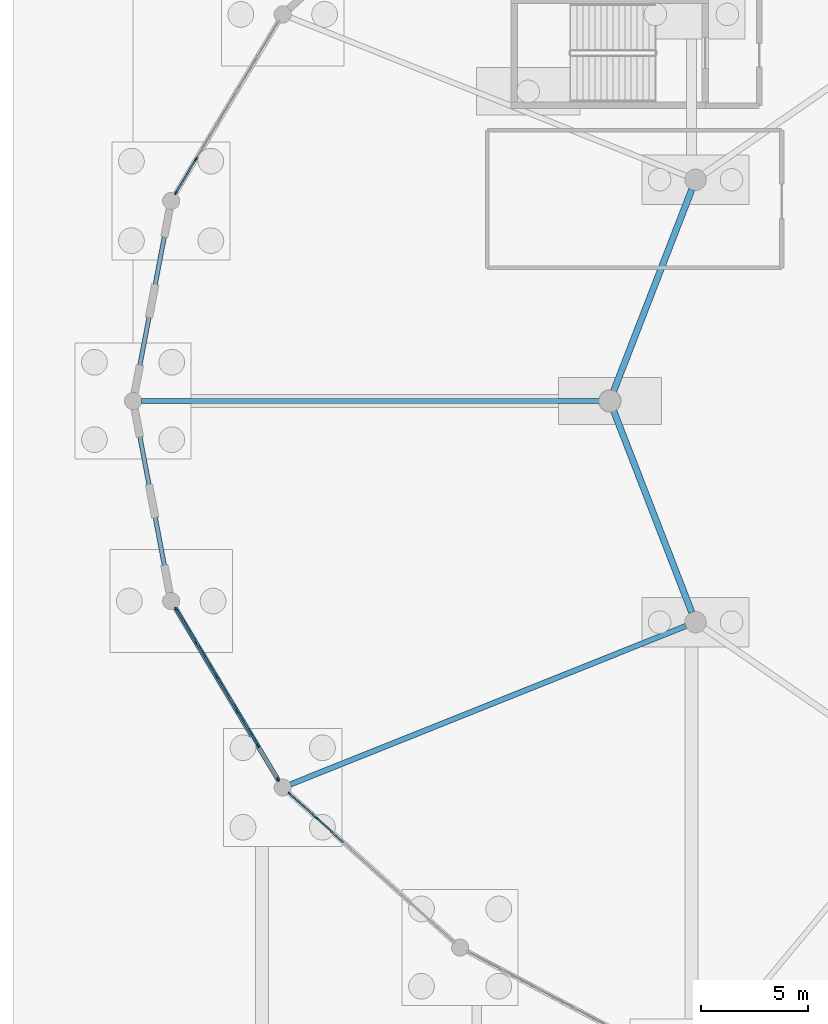
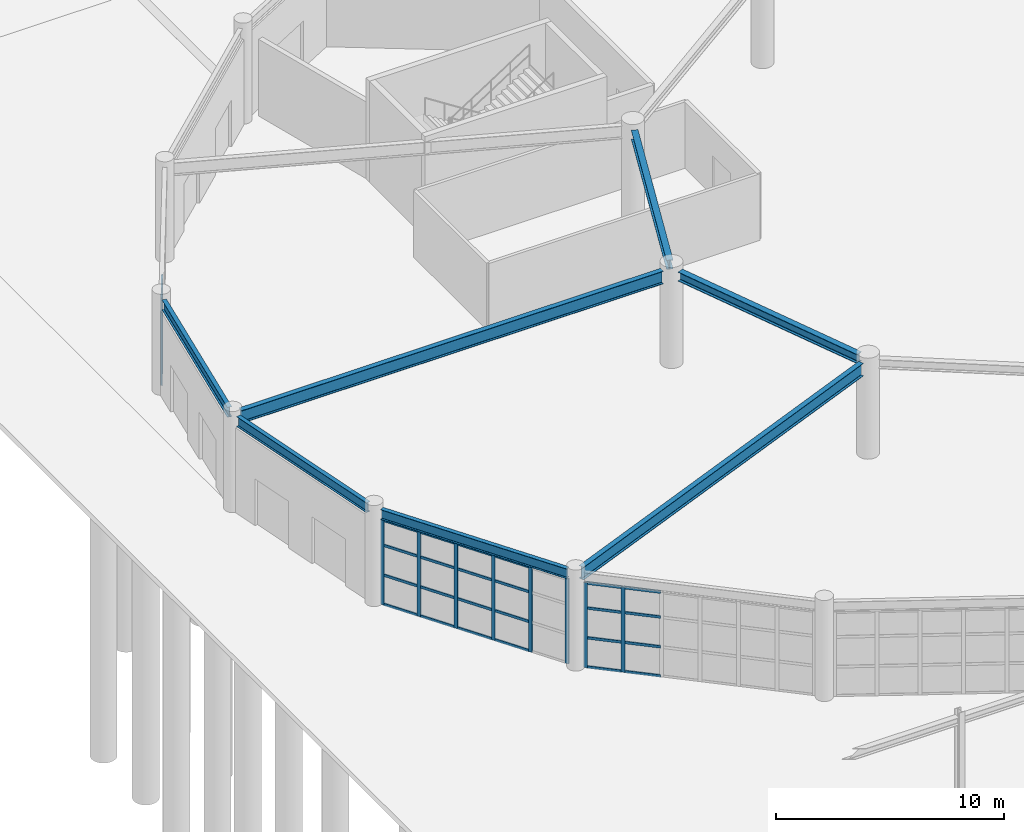
# One storey, part 39 of 99: 38 members, 7 beams, 3 elements without a shape of their own.
"""IFC4 building model written with IfcOpenShell, lengths in metres."""

from ifc_helpers import new_model, si_unit, direction, frame, origin, origin_2d, place, context, subcontext, project, spatial, rectangle, i_section, extrude, material, layer, layer_set, material_profile, profile_set, type_object, element, aggregate, save


model = new_model("IFC4")

# Units and contexts
model_context = context("Model", 3, precision=1e-05, world=origin(), true_north=direction((0.0, 1.0)))
body_context = subcontext(model_context, "Body", "Model", "MODEL_VIEW")
ifc_project = project(units=[si_unit("LENGTHUNIT", "METRE"), si_unit("AREAUNIT", "SQUARE_METRE"), si_unit("VOLUMEUNIT", "CUBIC_METRE"), si_unit("PLANEANGLEUNIT", "RADIAN"), si_unit("MASSUNIT", "GRAM", prefix="KILO")], contexts=[model_context])

# Site, building, storey
site_placement = place(None, origin())
site = spatial("IfcSite", under=ifc_project, at=site_placement, CompositionType="ELEMENT")
building_placement = place(site_placement, origin())
building = spatial("IfcBuilding", under=site, at=building_placement, Name="Kivolera Central Railway Station", CompositionType="ELEMENT")
storey_placement = place(building_placement, origin())
storey = spatial("IfcBuildingStorey", under=building, at=storey_placement, Name="L00", CompositionType="ELEMENT", Elevation=0.0)

# Beams
ifc_material_1 = material(Name="Steel S355", Category="steel")
ifc_material_profile_1 = material_profile(ifc_material_1, i_section(OverallWidth=0.300048828125, OverallDepth=0.489990234375, WebThickness=0.011962890625, FlangeThickness=0.02294921875, FilletRadius=0.027099609375, at=origin_2d()), Name="HEA 500")
ifc_profile_set_1 = profile_set([ifc_material_profile_1], Name="Steel S355")
beam_type_1 = type_object("IfcBeamType", Name="BM-SHD-HEA500", PredefinedType="BEAM", material=ifc_profile_set_1)
for number, where, z_axis, x_axis, name in (
    (1, (38.014892578125, 99.843017578125, 4.863037109375), (-0.36139618842, -0.932412352447, 0.0), (0.932412352447, -0.36139618842, 0.0), "L00 Oval Inner Gallery Ring Beam 06"),
    (2, (34.376953125, 89.54296875, 4.863037109375), (0.36139618842, -0.932412352447, 0.0), (0.932412352447, 0.36139618842, 0.0), "L00 Oval Inner Gallery Ring Beam 07"),
):
    element("IfcBeam", number, at=place(storey_placement, frame(where, z_axis=z_axis, x_axis=x_axis)), inside=storey, type_object=beam_type_1, Name=name, PredefinedType="BEAM", context=body_context, shape_type="SweptSolid", body=[
        extrude(i_section(OverallWidth=0.300048828125, OverallDepth=0.489990234375, WebThickness=0.011962890625, FlangeThickness=0.02294921875, FilletRadius=0.027099609375, at=origin_2d()), origin(), (0.0, 0.0, 1.0), 10.06640625),
    ])
ifc_material_profile_2 = material_profile(ifc_material_1, i_section(OverallWidth=0.209228515625, OverallDepth=0.533203125, WebThickness=0.010009765625, FlangeThickness=0.015625, FilletRadius=0.0126953125, at=origin_2d()), Name="UB 533x210x92")
ifc_profile_set_2 = profile_set([ifc_material_profile_2], Name="Steel S355")
beam_type_2 = type_object("IfcBeamType", Name="BM-SHD-UB533", PredefinedType="BEAM", material=ifc_profile_set_2)
for number, where, z_axis, x_axis, name in (
    (3, (13.698974609375, 98.93408203125, 4.841064453125), (-0.186802767636, -0.982397437906, 0.0), (0.982397437906, -0.186802767636, 0.0), "L00 Oval Perimeter Ring Beam 12"),
    (4, (12.072998046875, 89.616943359375, 4.841064453125), (0.186802767636, -0.982397437906, 0.0), (0.982397437906, 0.186802767636, 0.0), "L00 Oval Perimeter Ring Beam 13"),
):
    element("IfcBeam", number, at=place(storey_placement, frame(where, z_axis=z_axis, x_axis=x_axis)), inside=storey, type_object=beam_type_2, Name=name, PredefinedType="BEAM", context=body_context, shape_type="SweptSolid", body=[
        extrude(i_section(OverallWidth=0.209228515625, OverallDepth=0.533203125, WebThickness=0.010009765625, FlangeThickness=0.015625, FilletRadius=0.0126953125, at=origin_2d()), origin(), (0.0, 0.0, 1.0), 8.704345703125),
    ])
beam_1_placement = place(storey_placement, frame((13.971923828125, 80.347900390625, 4.841064453125), z_axis=(0.513503459376, -0.858087523047, 0.0), x_axis=(0.858087523047, 0.513503459376, 0.0)))
element("IfcBeam", 5, at=beam_1_placement, inside=storey, type_object=beam_type_2, Name="L00 Oval Perimeter Ring Beam 14", PredefinedType="BEAM", context=body_context, shape_type="SweptSolid", body=[
    extrude(i_section(OverallWidth=0.209228515625, OverallDepth=0.533203125, WebThickness=0.010009765625, FlangeThickness=0.015625, FilletRadius=0.0126953125, at=origin_2d()), origin(), (0.0, 0.0, 1.0), 9.338134765625),
])
ifc_material_profile_3 = material_profile(ifc_material_1, i_section(OverallWidth=0.253662109375, OverallDepth=0.68359375, WebThickness=0.012451171875, FlangeThickness=0.01904296875, FilletRadius=0.01513671875, at=origin_2d()), Name="UB 686x254x140")
ifc_profile_set_3 = profile_set([ifc_material_profile_3], Name="Steel S355")
beam_type_3 = type_object("IfcBeamType", Name="BM-SHD-UB686", PredefinedType="BEAM", material=ifc_profile_set_3)
beam_2_placement = place(storey_placement, frame((33.7099609375, 90.0, 4.76611328125), z_axis=(-1.0, 0.0, 0.0), x_axis=(0.0, -1.0, 0.0)))
element("IfcBeam", 6, at=beam_2_placement, inside=storey, type_object=beam_type_3, Name="L00 Oval Gallery Radial Girder 07", PredefinedType="BEAM", context=body_context, shape_type="SweptSolid", body=[
    extrude(i_section(OverallWidth=0.253662109375, OverallDepth=0.68359375, WebThickness=0.012451171875, FlangeThickness=0.01904296875, FilletRadius=0.01513671875, at=origin_2d()), origin(), (0.0, 0.0, 1.0), 21.320068359375),
])
beam_3_placement = place(storey_placement, frame((37.737060546875, 79.51806640625, 4.76611328125), z_axis=(-0.928305074345, -0.371819430565, 0.0), x_axis=(0.371819430565, -0.928305074345, 0.0)))
element("IfcBeam", 7, at=beam_3_placement, inside=storey, type_object=beam_type_3, Name="L00 Oval Gallery Radial Girder 08", PredefinedType="BEAM", context=body_context, shape_type="SweptSolid", body=[
    extrude(i_section(OverallWidth=0.253662109375, OverallDepth=0.68359375, WebThickness=0.012451171875, FlangeThickness=0.01904296875, FilletRadius=0.01513671875, at=origin_2d()), origin(), (0.0, 0.0, 1.0), 19.82958984375),
])

# Curtain wall, members
ifc_material_2 = material(Name="Anodised aluminium", Category="aluminium")
ifc_layer_1 = layer(ifc_material_2, 0.179931640625, Name="Anodised aluminium")
ifc_layer_set_1 = layer_set([ifc_layer_1], Name="Anodised aluminium")
curtain_wall_type_1 = type_object("IfcCurtainWallType", Name="CW-SYS-01", PredefinedType="NOTDEFINED", material=ifc_layer_set_1)
curtain_wall_1_placement = place(storey_placement, origin())
curtain_wall_1 = element("IfcCurtainWall", 8, at=curtain_wall_1_placement, inside=storey, type_object=curtain_wall_type_1, Name="L00 Curtain Wall CW-L00-OVL-10", PredefinedType="NOTDEFINED")
ifc_material_profile_4 = material_profile(ifc_material_2, rectangle(XDim=0.070068359375, YDim=0.179931640625, at=origin_2d()), Name="ALU MULL 70x180")
ifc_profile_set_4 = profile_set([ifc_material_profile_4], Name="Anodised aluminium")
member_type_1 = type_object("IfcMemberType", Name="CWM-MUL-1", PredefinedType="MULLION", material=ifc_profile_set_4)
member_1_placement = place(storey_placement, frame((13.994873046875, 99.68994140625, -0.0048828125), z_axis=(0.0, 0.0, 1.0), x_axis=(-0.858117186396, 0.513453887327, 0.0)))
member_1 = element("IfcMember", 9, at=member_1_placement, type_object=member_type_1, Name="CW-01 mullion 1", PredefinedType="MULLION", context=body_context, shape_type="SweptSolid", body=[
    extrude(rectangle(XDim=0.070068359375, YDim=0.179931640625, at=origin_2d()), origin(), (0.0, 0.0, 1.0), 4.554931640625),
])
member_2_placement = place(storey_placement, frame((14.93408203125, 101.259521484375, -0.0048828125), z_axis=(0.0, 0.0, 1.0), x_axis=(-0.858117186396, 0.513453887327, 0.0)))
member_2 = element("IfcMember", 10, at=member_2_placement, type_object=member_type_1, Name="CW-01 mullion 2", PredefinedType="MULLION", context=body_context, shape_type="SweptSolid", body=[
    extrude(rectangle(XDim=0.070068359375, YDim=0.179931640625, at=origin_2d()), origin(), (0.0, 0.0, 1.0), 4.554931640625),
])

curtain_wall_2_placement = place(storey_placement, origin())
curtain_wall_2 = element("IfcCurtainWall", 11, at=curtain_wall_2_placement, inside=storey, type_object=curtain_wall_type_1, Name="L00 Curtain Wall CW-L00-OVL-13", PredefinedType="NOTDEFINED")
member_3_placement = place(storey_placement, frame((18.744140625, 72.373046875, -0.0048828125), z_axis=(0.0, 0.0, 1.0), x_axis=(-0.858117186396, -0.513453887327, 0.0)))
member_3 = element("IfcMember", 12, at=member_3_placement, type_object=member_type_1, Name="CW-01 mullion 1", PredefinedType="MULLION", context=body_context, shape_type="SweptSolid", body=[
    extrude(rectangle(XDim=0.070068359375, YDim=0.179931640625, at=origin_2d()), origin(), (0.0, 0.0, 1.0), 4.554931640625),
])
member_4_placement = place(storey_placement, frame((17.804931640625, 73.9423828125, -0.0048828125), z_axis=(0.0, 0.0, 1.0), x_axis=(-0.858117186396, -0.513453887327, 0.0)))
member_4 = element("IfcMember", 13, at=member_4_placement, type_object=member_type_1, Name="CW-01 mullion 2", PredefinedType="MULLION", context=body_context, shape_type="SweptSolid", body=[
    extrude(rectangle(XDim=0.070068359375, YDim=0.179931640625, at=origin_2d()), origin(), (0.0, 0.0, 1.0), 4.554931640625),
])
member_5_placement = place(storey_placement, frame((16.847900390625, 75.541748046875, -0.0048828125), z_axis=(0.0, 0.0, 1.0), x_axis=(-0.858117186396, -0.513453887327, 0.0)))
member_5 = element("IfcMember", 14, at=member_5_placement, type_object=member_type_1, Name="CW-01 mullion 3", PredefinedType="MULLION", context=body_context, shape_type="SweptSolid", body=[
    extrude(rectangle(XDim=0.070068359375, YDim=0.179931640625, at=origin_2d()), origin(), (0.0, 0.0, 1.0), 4.554931640625),
])
member_6_placement = place(storey_placement, frame((15.89111328125, 77.14111328125, -0.0048828125), z_axis=(0.0, 0.0, 1.0), x_axis=(-0.858117186396, -0.513453887327, 0.0)))
member_6 = element("IfcMember", 15, at=member_6_placement, type_object=member_type_1, Name="CW-01 mullion 4", PredefinedType="MULLION", context=body_context, shape_type="SweptSolid", body=[
    extrude(rectangle(XDim=0.070068359375, YDim=0.179931640625, at=origin_2d()), origin(), (0.0, 0.0, 1.0), 4.554931640625),
])
member_7_placement = place(storey_placement, frame((14.93408203125, 78.740478515625, -0.0048828125), z_axis=(0.0, 0.0, 1.0), x_axis=(-0.858117186396, -0.513453887327, 0.0)))
member_7 = element("IfcMember", 16, at=member_7_placement, type_object=member_type_1, Name="CW-01 mullion 5", PredefinedType="MULLION", context=body_context, shape_type="SweptSolid", body=[
    extrude(rectangle(XDim=0.070068359375, YDim=0.179931640625, at=origin_2d()), origin(), (0.0, 0.0, 1.0), 4.554931640625),
])
member_8_placement = place(storey_placement, frame((13.994873046875, 80.31005859375, -0.0048828125), z_axis=(0.0, 0.0, 1.0), x_axis=(-0.858117186396, -0.513453887327, 0.0)))
member_8 = element("IfcMember", 17, at=member_8_placement, type_object=member_type_1, Name="CW-01 mullion 6", PredefinedType="MULLION", context=body_context, shape_type="SweptSolid", body=[
    extrude(rectangle(XDim=0.070068359375, YDim=0.179931640625, at=origin_2d()), origin(), (0.0, 0.0, 1.0), 4.554931640625),
])

ifc_layer_2 = layer(ifc_material_2, 0.179931640625, Name="Anodised aluminium")
ifc_layer_set_2 = layer_set([ifc_layer_2], Name="Anodised aluminium")
curtain_wall_type_2 = type_object("IfcCurtainWallType", Name="CW-SYS-04", PredefinedType="NOTDEFINED", material=ifc_layer_set_2)
curtain_wall_3_placement = place(storey_placement, origin())
curtain_wall_3 = element("IfcCurtainWall", 18, at=curtain_wall_3_placement, inside=storey, type_object=curtain_wall_type_2, Name="L00 Curtain Wall CW-L00-OVL-14", PredefinedType="NOTDEFINED")
member_9_placement = place(storey_placement, frame((20.542236328125, 70.57861328125, -0.0048828125), z_axis=(0.0, 0.0, 1.0), x_axis=(-0.66992157428, -0.742431871833, 0.0)))
member_9 = element("IfcMember", 19, at=member_9_placement, type_object=member_type_1, Name="CW-04 mullion 6", PredefinedType="MULLION", context=body_context, shape_type="SweptSolid", body=[
    extrude(rectangle(XDim=0.070068359375, YDim=0.179931640625, at=origin_2d()), origin(), (0.0, 0.0, 1.0), 4.554931640625),
])
member_10_placement = place(storey_placement, frame((19.2900390625, 71.70849609375, -0.0048828125), z_axis=(0.0, 0.0, 1.0), x_axis=(-0.66992157428, -0.742431871833, 0.0)))
member_10 = element("IfcMember", 20, at=member_10_placement, type_object=member_type_1, Name="CW-04 mullion 7", PredefinedType="MULLION", context=body_context, shape_type="SweptSolid", body=[
    extrude(rectangle(XDim=0.070068359375, YDim=0.179931640625, at=origin_2d()), origin(), (0.0, 0.0, 1.0), 4.554931640625),
])

# Member
ifc_material_profile_5 = material_profile(ifc_material_2, rectangle(XDim=0.070068359375, YDim=0.139892578125, at=origin_2d()), Name="ALU TRAN 70x140")
ifc_profile_set_5 = profile_set([ifc_material_profile_5], Name="Anodised aluminium")
member_type_2 = type_object("IfcMemberType", Name="CWM-TRN-1", PredefinedType="USERDEFINED", material=ifc_profile_set_5)
member_11_placement = place(storey_placement, frame((14.012939453125, 99.719970703125, 0.034912109375), z_axis=(0.513454309114, 0.85811693402, 0.0), x_axis=(-0.85811693402, 0.513454309114, 0.0)))
member_11 = element("IfcMember", 21, at=member_11_placement, type_object=member_type_2, Name="CW-01 transom 1.1", ObjectType="TRANSOM", PredefinedType="USERDEFINED", context=body_context, shape_type="SweptSolid", body=[
    extrude(rectangle(XDim=0.070068359375, YDim=0.139892578125, at=origin_2d()), origin(), (0.0, 0.0, 1.0), 1.7587890625),
])

member_12_placement = place(storey_placement, frame((14.012939453125, 99.719970703125, 1.592529296875), z_axis=(0.513454309114, 0.85811693402, 0.0), x_axis=(-0.85811693402, 0.513454309114, 0.0)))
member_12 = element("IfcMember", 22, at=member_12_placement, type_object=member_type_2, Name="CW-01 transom 1.2", ObjectType="TRANSOM", PredefinedType="USERDEFINED", context=body_context, shape_type="SweptSolid", body=[
    extrude(rectangle(XDim=0.070068359375, YDim=0.139892578125, at=origin_2d()), origin(), (0.0, 0.0, 1.0), 1.7587890625),
])

member_13_placement = place(storey_placement, frame((14.012939453125, 99.719970703125, 3.18505859375), z_axis=(0.513454309114, 0.85811693402, 0.0), x_axis=(-0.85811693402, 0.513454309114, 0.0)))
member_13 = element("IfcMember", 23, at=member_13_placement, type_object=member_type_2, Name="CW-01 transom 1.3", ObjectType="TRANSOM", PredefinedType="USERDEFINED", context=body_context, shape_type="SweptSolid", body=[
    extrude(rectangle(XDim=0.070068359375, YDim=0.139892578125, at=origin_2d()), origin(), (0.0, 0.0, 1.0), 1.7587890625),
])

member_14_placement = place(storey_placement, frame((14.012939453125, 99.719970703125, 4.514892578125), z_axis=(0.513454309114, 0.85811693402, 0.0), x_axis=(-0.85811693402, 0.513454309114, 0.0)))
member_14 = element("IfcMember", 24, at=member_14_placement, type_object=member_type_2, Name="CW-01 transom 1.4", ObjectType="TRANSOM", PredefinedType="USERDEFINED", context=body_context, shape_type="SweptSolid", body=[
    extrude(rectangle(XDim=0.070068359375, YDim=0.139892578125, at=origin_2d()), origin(), (0.0, 0.0, 1.0), 1.7587890625),
])

aggregate(curtain_wall_1, [member_1, member_2, member_11, member_12, member_13, member_14])

member_15_placement = place(storey_placement, frame((17.787109375, 73.972412109375, 0.034912109375), z_axis=(-0.513494690452, 0.858092770554, 0.0), x_axis=(-0.858092770554, -0.513494690452, 0.0)))
member_15 = element("IfcMember", 25, at=member_15_placement, type_object=member_type_2, Name="CW-01 transom 2.1", ObjectType="TRANSOM", PredefinedType="USERDEFINED", context=body_context, shape_type="SweptSolid", body=[
    extrude(rectangle(XDim=0.070068359375, YDim=0.139892578125, at=origin_2d()), origin(), (0.0, 0.0, 1.0), 1.7939453125),
])

member_16_placement = place(storey_placement, frame((17.787109375, 73.972412109375, 1.592529296875), z_axis=(-0.513494690452, 0.858092770554, 0.0), x_axis=(-0.858092770554, -0.513494690452, 0.0)))
member_16 = element("IfcMember", 26, at=member_16_placement, type_object=member_type_2, Name="CW-01 transom 2.2", ObjectType="TRANSOM", PredefinedType="USERDEFINED", context=body_context, shape_type="SweptSolid", body=[
    extrude(rectangle(XDim=0.070068359375, YDim=0.139892578125, at=origin_2d()), origin(), (0.0, 0.0, 1.0), 1.7939453125),
])

member_17_placement = place(storey_placement, frame((17.787109375, 73.972412109375, 3.18505859375), z_axis=(-0.513494690452, 0.858092770554, 0.0), x_axis=(-0.858092770554, -0.513494690452, 0.0)))
member_17 = element("IfcMember", 27, at=member_17_placement, type_object=member_type_2, Name="CW-01 transom 2.3", ObjectType="TRANSOM", PredefinedType="USERDEFINED", context=body_context, shape_type="SweptSolid", body=[
    extrude(rectangle(XDim=0.070068359375, YDim=0.139892578125, at=origin_2d()), origin(), (0.0, 0.0, 1.0), 1.7939453125),
])

member_18_placement = place(storey_placement, frame((17.787109375, 73.972412109375, 4.514892578125), z_axis=(-0.513494690452, 0.858092770554, 0.0), x_axis=(-0.858092770554, -0.513494690452, 0.0)))
member_18 = element("IfcMember", 28, at=member_18_placement, type_object=member_type_2, Name="CW-01 transom 2.4", ObjectType="TRANSOM", PredefinedType="USERDEFINED", context=body_context, shape_type="SweptSolid", body=[
    extrude(rectangle(XDim=0.070068359375, YDim=0.139892578125, at=origin_2d()), origin(), (0.0, 0.0, 1.0), 1.7939453125),
])

member_19_placement = place(storey_placement, frame((16.830078125, 75.57177734375, 0.034912109375), z_axis=(-0.513494690452, 0.858092770554, 0.0), x_axis=(-0.858092770554, -0.513494690452, 0.0)))
member_19 = element("IfcMember", 29, at=member_19_placement, type_object=member_type_2, Name="CW-01 transom 3.1", ObjectType="TRANSOM", PredefinedType="USERDEFINED", context=body_context, shape_type="SweptSolid", body=[
    extrude(rectangle(XDim=0.070068359375, YDim=0.139892578125, at=origin_2d()), origin(), (0.0, 0.0, 1.0), 1.7939453125),
])

member_20_placement = place(storey_placement, frame((16.830078125, 75.57177734375, 1.592529296875), z_axis=(-0.513494690452, 0.858092770554, 0.0), x_axis=(-0.858092770554, -0.513494690452, 0.0)))
member_20 = element("IfcMember", 30, at=member_20_placement, type_object=member_type_2, Name="CW-01 transom 3.2", ObjectType="TRANSOM", PredefinedType="USERDEFINED", context=body_context, shape_type="SweptSolid", body=[
    extrude(rectangle(XDim=0.070068359375, YDim=0.139892578125, at=origin_2d()), origin(), (0.0, 0.0, 1.0), 1.7939453125),
])

member_21_placement = place(storey_placement, frame((16.830078125, 75.57177734375, 3.18505859375), z_axis=(-0.513494690452, 0.858092770554, 0.0), x_axis=(-0.858092770554, -0.513494690452, 0.0)))
member_21 = element("IfcMember", 31, at=member_21_placement, type_object=member_type_2, Name="CW-01 transom 3.3", ObjectType="TRANSOM", PredefinedType="USERDEFINED", context=body_context, shape_type="SweptSolid", body=[
    extrude(rectangle(XDim=0.070068359375, YDim=0.139892578125, at=origin_2d()), origin(), (0.0, 0.0, 1.0), 1.7939453125),
])

member_22_placement = place(storey_placement, frame((16.830078125, 75.57177734375, 4.514892578125), z_axis=(-0.513494690452, 0.858092770554, 0.0), x_axis=(-0.858092770554, -0.513494690452, 0.0)))
member_22 = element("IfcMember", 32, at=member_22_placement, type_object=member_type_2, Name="CW-01 transom 3.4", ObjectType="TRANSOM", PredefinedType="USERDEFINED", context=body_context, shape_type="SweptSolid", body=[
    extrude(rectangle(XDim=0.070068359375, YDim=0.139892578125, at=origin_2d()), origin(), (0.0, 0.0, 1.0), 1.7939453125),
])

member_23_placement = place(storey_placement, frame((15.873046875, 77.171142578125, 0.034912109375), z_axis=(-0.513494690452, 0.858092770554, 0.0), x_axis=(-0.858092770554, -0.513494690452, 0.0)))
member_23 = element("IfcMember", 33, at=member_23_placement, type_object=member_type_2, Name="CW-01 transom 4.1", ObjectType="TRANSOM", PredefinedType="USERDEFINED", context=body_context, shape_type="SweptSolid", body=[
    extrude(rectangle(XDim=0.070068359375, YDim=0.139892578125, at=origin_2d()), origin(), (0.0, 0.0, 1.0), 1.7939453125),
])

member_24_placement = place(storey_placement, frame((15.873046875, 77.171142578125, 1.592529296875), z_axis=(-0.513494690452, 0.858092770554, 0.0), x_axis=(-0.858092770554, -0.513494690452, 0.0)))
member_24 = element("IfcMember", 34, at=member_24_placement, type_object=member_type_2, Name="CW-01 transom 4.2", ObjectType="TRANSOM", PredefinedType="USERDEFINED", context=body_context, shape_type="SweptSolid", body=[
    extrude(rectangle(XDim=0.070068359375, YDim=0.139892578125, at=origin_2d()), origin(), (0.0, 0.0, 1.0), 1.7939453125),
])

member_25_placement = place(storey_placement, frame((15.873046875, 77.171142578125, 3.18505859375), z_axis=(-0.513494690452, 0.858092770554, 0.0), x_axis=(-0.858092770554, -0.513494690452, 0.0)))
member_25 = element("IfcMember", 35, at=member_25_placement, type_object=member_type_2, Name="CW-01 transom 4.3", ObjectType="TRANSOM", PredefinedType="USERDEFINED", context=body_context, shape_type="SweptSolid", body=[
    extrude(rectangle(XDim=0.070068359375, YDim=0.139892578125, at=origin_2d()), origin(), (0.0, 0.0, 1.0), 1.7939453125),
])

member_26_placement = place(storey_placement, frame((15.873046875, 77.171142578125, 4.514892578125), z_axis=(-0.513494690452, 0.858092770554, 0.0), x_axis=(-0.858092770554, -0.513494690452, 0.0)))
member_26 = element("IfcMember", 36, at=member_26_placement, type_object=member_type_2, Name="CW-01 transom 4.4", ObjectType="TRANSOM", PredefinedType="USERDEFINED", context=body_context, shape_type="SweptSolid", body=[
    extrude(rectangle(XDim=0.070068359375, YDim=0.139892578125, at=origin_2d()), origin(), (0.0, 0.0, 1.0), 1.7939453125),
])

member_27_placement = place(storey_placement, frame((14.916015625, 78.770751953125, 0.034912109375), z_axis=(-0.513454309114, 0.85811693402, 0.0), x_axis=(-0.85811693402, -0.513454309114, 0.0)))
member_27 = element("IfcMember", 37, at=member_27_placement, type_object=member_type_2, Name="CW-01 transom 5.1", ObjectType="TRANSOM", PredefinedType="USERDEFINED", context=body_context, shape_type="SweptSolid", body=[
    extrude(rectangle(XDim=0.070068359375, YDim=0.139892578125, at=origin_2d()), origin(), (0.0, 0.0, 1.0), 1.7587890625),
])

member_28_placement = place(storey_placement, frame((14.916015625, 78.770751953125, 1.592529296875), z_axis=(-0.513454309114, 0.85811693402, 0.0), x_axis=(-0.85811693402, -0.513454309114, 0.0)))
member_28 = element("IfcMember", 38, at=member_28_placement, type_object=member_type_2, Name="CW-01 transom 5.2", ObjectType="TRANSOM", PredefinedType="USERDEFINED", context=body_context, shape_type="SweptSolid", body=[
    extrude(rectangle(XDim=0.070068359375, YDim=0.139892578125, at=origin_2d()), origin(), (0.0, 0.0, 1.0), 1.7587890625),
])

member_29_placement = place(storey_placement, frame((14.916015625, 78.770751953125, 3.18505859375), z_axis=(-0.513454309114, 0.85811693402, 0.0), x_axis=(-0.85811693402, -0.513454309114, 0.0)))
member_29 = element("IfcMember", 39, at=member_29_placement, type_object=member_type_2, Name="CW-01 transom 5.3", ObjectType="TRANSOM", PredefinedType="USERDEFINED", context=body_context, shape_type="SweptSolid", body=[
    extrude(rectangle(XDim=0.070068359375, YDim=0.139892578125, at=origin_2d()), origin(), (0.0, 0.0, 1.0), 1.7587890625),
])

member_30_placement = place(storey_placement, frame((14.916015625, 78.770751953125, 4.514892578125), z_axis=(-0.513454309114, 0.85811693402, 0.0), x_axis=(-0.85811693402, -0.513454309114, 0.0)))
member_30 = element("IfcMember", 40, at=member_30_placement, type_object=member_type_2, Name="CW-01 transom 5.4", ObjectType="TRANSOM", PredefinedType="USERDEFINED", context=body_context, shape_type="SweptSolid", body=[
    extrude(rectangle(XDim=0.070068359375, YDim=0.139892578125, at=origin_2d()), origin(), (0.0, 0.0, 1.0), 1.7587890625),
])

aggregate(curtain_wall_2, [member_3, member_4, member_5, member_6, member_7, member_8, member_15, member_16, member_17, member_18, member_19, member_20, member_21, member_22, member_23, member_24, member_25, member_26, member_27, member_28, member_29, member_30])

member_31_placement = place(storey_placement, frame((21.79443359375, 69.44873046875, 0.034912109375), z_axis=(-0.74246304586, 0.669887024455, 0.0), x_axis=(-0.669887024455, -0.74246304586, 0.0)))
member_31 = element("IfcMember", 41, at=member_31_placement, type_object=member_type_2, Name="CW-04 transom 5.1", ObjectType="TRANSOM", PredefinedType="USERDEFINED", context=body_context, shape_type="SweptSolid", body=[
    extrude(rectangle(XDim=0.070068359375, YDim=0.139892578125, at=origin_2d()), origin(), (0.0, 0.0, 1.0), 1.651611328125),
])

member_32_placement = place(storey_placement, frame((21.79443359375, 69.44873046875, 1.592529296875), z_axis=(-0.74246304586, 0.669887024455, 0.0), x_axis=(-0.669887024455, -0.74246304586, 0.0)))
member_32 = element("IfcMember", 42, at=member_32_placement, type_object=member_type_2, Name="CW-04 transom 5.2", ObjectType="TRANSOM", PredefinedType="USERDEFINED", context=body_context, shape_type="SweptSolid", body=[
    extrude(rectangle(XDim=0.070068359375, YDim=0.139892578125, at=origin_2d()), origin(), (0.0, 0.0, 1.0), 1.651611328125),
])

member_33_placement = place(storey_placement, frame((21.79443359375, 69.44873046875, 3.18505859375), z_axis=(-0.74246304586, 0.669887024455, 0.0), x_axis=(-0.669887024455, -0.74246304586, 0.0)))
member_33 = element("IfcMember", 43, at=member_33_placement, type_object=member_type_2, Name="CW-04 transom 5.3", ObjectType="TRANSOM", PredefinedType="USERDEFINED", context=body_context, shape_type="SweptSolid", body=[
    extrude(rectangle(XDim=0.070068359375, YDim=0.139892578125, at=origin_2d()), origin(), (0.0, 0.0, 1.0), 1.651611328125),
])

member_34_placement = place(storey_placement, frame((21.79443359375, 69.44873046875, 4.514892578125), z_axis=(-0.74246304586, 0.669887024455, 0.0), x_axis=(-0.669887024455, -0.74246304586, 0.0)))
member_34 = element("IfcMember", 44, at=member_34_placement, type_object=member_type_2, Name="CW-04 transom 5.4", ObjectType="TRANSOM", PredefinedType="USERDEFINED", context=body_context, shape_type="SweptSolid", body=[
    extrude(rectangle(XDim=0.070068359375, YDim=0.139892578125, at=origin_2d()), origin(), (0.0, 0.0, 1.0), 1.651611328125),
])

member_35_placement = place(storey_placement, frame((20.51611328125, 70.60205078125, 0.034912109375), z_axis=(-0.742422429893, 0.66993203804, 0.0), x_axis=(-0.66993203804, -0.742422429893, 0.0)))
member_35 = element("IfcMember", 45, at=member_35_placement, type_object=member_type_2, Name="CW-04 transom 6.1", ObjectType="TRANSOM", PredefinedType="USERDEFINED", context=body_context, shape_type="SweptSolid", body=[
    extrude(rectangle(XDim=0.070068359375, YDim=0.139892578125, at=origin_2d()), origin(), (0.0, 0.0, 1.0), 1.61669921875),
])

member_36_placement = place(storey_placement, frame((20.51611328125, 70.60205078125, 1.592529296875), z_axis=(-0.742422429893, 0.66993203804, 0.0), x_axis=(-0.66993203804, -0.742422429893, 0.0)))
member_36 = element("IfcMember", 46, at=member_36_placement, type_object=member_type_2, Name="CW-04 transom 6.2", ObjectType="TRANSOM", PredefinedType="USERDEFINED", context=body_context, shape_type="SweptSolid", body=[
    extrude(rectangle(XDim=0.070068359375, YDim=0.139892578125, at=origin_2d()), origin(), (0.0, 0.0, 1.0), 1.61669921875),
])

member_37_placement = place(storey_placement, frame((20.51611328125, 70.60205078125, 3.18505859375), z_axis=(-0.742422429893, 0.66993203804, 0.0), x_axis=(-0.66993203804, -0.742422429893, 0.0)))
member_37 = element("IfcMember", 47, at=member_37_placement, type_object=member_type_2, Name="CW-04 transom 6.3", ObjectType="TRANSOM", PredefinedType="USERDEFINED", context=body_context, shape_type="SweptSolid", body=[
    extrude(rectangle(XDim=0.070068359375, YDim=0.139892578125, at=origin_2d()), origin(), (0.0, 0.0, 1.0), 1.61669921875),
])

member_38_placement = place(storey_placement, frame((20.51611328125, 70.60205078125, 4.514892578125), z_axis=(-0.742422429893, 0.66993203804, 0.0), x_axis=(-0.66993203804, -0.742422429893, 0.0)))
member_38 = element("IfcMember", 48, at=member_38_placement, type_object=member_type_2, Name="CW-04 transom 6.4", ObjectType="TRANSOM", PredefinedType="USERDEFINED", context=body_context, shape_type="SweptSolid", body=[
    extrude(rectangle(XDim=0.070068359375, YDim=0.139892578125, at=origin_2d()), origin(), (0.0, 0.0, 1.0), 1.61669921875),
])

aggregate(curtain_wall_3, [member_9, member_10, member_31, member_32, member_33, member_34, member_35, member_36, member_37, member_38])

save(model, "model.ifc")
